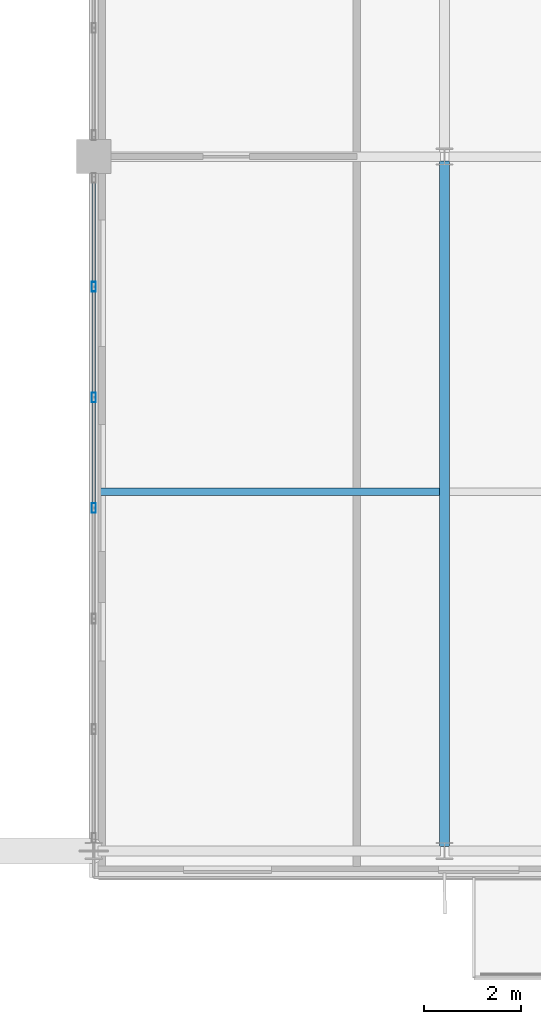
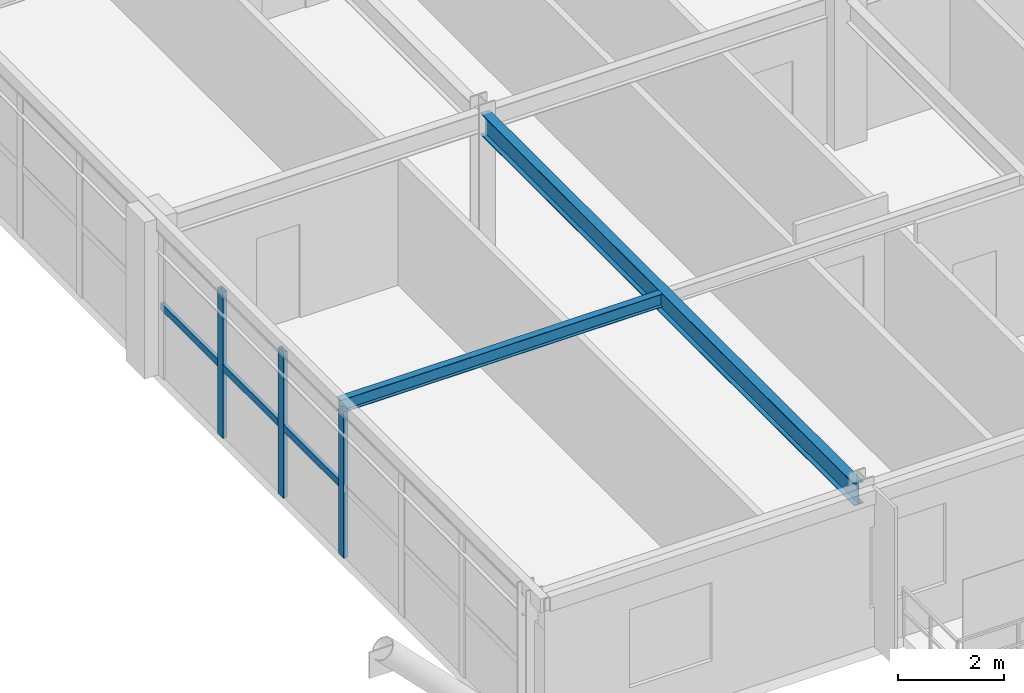
# One storey, part 12 of 35: 6 members, 2 beams, 1 element without a shape of its own.
"""IFC4 building model written with IfcOpenShell, lengths in metres."""

from ifc_helpers import new_model, si_unit, direction, frame, origin, origin_2d, place, context, subcontext, project, spatial, hollow_rectangle, i_section, extrude, source, transform, mapped, material, material_profile, profile_set, type_object, element, aggregate, save


model = new_model("IFC4")

# Units and contexts
model_context = context("Model", 3, precision=1e-05, world=origin(), true_north=direction((0.0, 1.0)))
body_context = subcontext(model_context, "Body", "Model", "MODEL_VIEW")
ifc_project = project(units=[si_unit("LENGTHUNIT", "METRE"), si_unit("AREAUNIT", "SQUARE_METRE"), si_unit("VOLUMEUNIT", "CUBIC_METRE"), si_unit("PLANEANGLEUNIT", "RADIAN"), si_unit("MASSUNIT", "GRAM", prefix="KILO")], contexts=[model_context])

# Site, building, storey
site_placement = place(None, origin())
site = spatial("IfcSite", under=ifc_project, at=site_placement, CompositionType="ELEMENT")
building_placement = place(site_placement, origin())
building = spatial("IfcBuilding", under=site, at=building_placement, Name="Trelvane Seafront Commons", CompositionType="ELEMENT")
storey_placement = place(building_placement, frame((0.0, 0.0, 194.10009765625)))
storey = spatial("IfcBuildingStorey", under=building, at=storey_placement, Name="L50", CompositionType="ELEMENT", Elevation=194.10009765625)

# Beams
ifc_material_1 = material(Name="Steel SM355 (S355)", Category="steel")
ifc_material_profile_1 = material_profile(ifc_material_1, i_section(OverallWidth=0.199951171875, OverallDepth=0.5, WebThickness=0.010009765625, FlangeThickness=0.01611328125, at=origin_2d()), Name="H-500x200x10x16")
ifc_profile_set_1 = profile_set([ifc_material_profile_1], Name="Steel SM355 (S355)")
beam_type_1 = type_object("IfcBeamType", Name="STR-BM-H500", PredefinedType="BEAM", material=ifc_profile_set_1)
shared_shape_1 = source(origin(), body_context, "Body", "SweptSolid", [
    extrude(i_section(OverallWidth=0.199951171875, OverallDepth=0.5, WebThickness=0.010009765625, FlangeThickness=0.01611328125, at=origin_2d()), origin(), (0.0, 0.0, 1.0), 14.074951171875),
])
beam_1_placement = place(storey_placement, frame((51.0, 4.03759765625, 3.10986328125), z_axis=(0.0, 1.0, 0.0), x_axis=(-1.0, 0.0, 0.0)))
element("IfcBeam", 1, at=beam_1_placement, inside=storey, type_object=beam_type_1, Name="L50 Primary Girder G-44", PredefinedType="BEAM", context=body_context, shape_type="MappedRepresentation", body=[
    mapped(shared_shape_1, transform((0.0, 0.0, 0.0), x_axis=(1.0, 0.0, 0.0), y_axis=(0.0, 1.0, 0.0), z_axis=(0.0, 0.0, 1.0), scale=1.0)),
])
ifc_material_profile_2 = material_profile(ifc_material_1, i_section(OverallWidth=0.14990234375, OverallDepth=0.300048828125, WebThickness=0.006591796875, FlangeThickness=0.009033203125, at=origin_2d()), Name="H-300x150x6.5x9")
ifc_profile_set_2 = profile_set([ifc_material_profile_2], Name="Steel SM355 (S355)")
beam_type_2 = type_object("IfcBeamType", Name="STR-JST-H300", PredefinedType="JOIST", material=ifc_profile_set_2)
shared_shape_2 = source(origin(), body_context, "Body", "SweptSolid", [
    extrude(i_section(OverallWidth=0.14990234375, OverallDepth=0.300048828125, WebThickness=0.006591796875, FlangeThickness=0.009033203125, at=origin_2d()), origin(), (0.0, 0.0, 1.0), 7.0),
])
beam_2_placement = place(storey_placement, frame((43.89990234375, 11.324951171875, 3.2099609375), z_axis=(1.0, 0.0, 0.0), x_axis=(0.0, 1.0, 0.0)))
element("IfcBeam", 2, at=beam_2_placement, inside=storey, type_object=beam_type_2, Name="L50 Secondary Floor Joist B-57", PredefinedType="JOIST", context=body_context, shape_type="MappedRepresentation", body=[
    mapped(shared_shape_2, transform((0.0, 0.0, 0.0), x_axis=(1.0, 0.0, 0.0), y_axis=(0.0, 1.0, 0.0), z_axis=(0.0, 0.0, 1.0), scale=1.0)),
])

# Curtain wall, members
ifc_material_2 = material(Name="Anodised pale-silver aluminium", Category="aluminium")
curtain_wall_type = type_object("IfcCurtainWallType", Name="ARCH-CW3-PORTAL", PredefinedType="NOTDEFINED", material=ifc_material_2)
curtain_wall_placement = place(storey_placement, origin())
curtain_wall = element("IfcCurtainWall", 3, at=curtain_wall_placement, inside=storey, type_object=curtain_wall_type, Name="CW-L50-VP-0083", PredefinedType="NOTDEFINED")
ifc_material_profile_3 = material_profile(ifc_material_2, hollow_rectangle(XDim=0.090087890625, YDim=0.199951171875, WallThickness=0.0048828125, at=origin_2d()), Name="MULL-90x200x5")
ifc_profile_set_3 = profile_set([ifc_material_profile_3], Name="Anodised pale-silver aluminium")
member_type_1 = type_object("IfcMemberType", Name="ARCH-CW-MULL-200", PredefinedType="MULLION", material=ifc_profile_set_3)
shared_shape_3 = source(origin(), body_context, "Body", "SweptSolid", [
    extrude(hollow_rectangle(XDim=0.090087890625, YDim=0.199951171875, WallThickness=0.0048828125, at=origin_2d()), origin(), (0.0, 0.0, 1.0), 3.35986328125),
])
member_1_placement = place(storey_placement, frame((43.800048828125, 15.529296875, 0.0), z_axis=(0.0, 0.0, 1.0), x_axis=(1.0, 0.0, 0.0)))
member_1 = element("IfcMember", 4, at=member_1_placement, type_object=member_type_1, Name="CW-L50-VP-0083-M01", PredefinedType="MULLION", context=body_context, shape_type="MappedRepresentation", body=[
    mapped(shared_shape_3, transform((0.0, 0.0, 0.0), x_axis=(1.0, 0.0, 0.0), y_axis=(0.0, 1.0, 0.0), z_axis=(0.0, 0.0, 1.0), scale=1.0)),
])
member_2_placement = place(storey_placement, frame((43.800048828125, 13.25830078125, 0.0), z_axis=(0.0, 0.0, 1.0), x_axis=(1.0, 0.0, 0.0)))
member_2 = element("IfcMember", 5, at=member_2_placement, type_object=member_type_1, Name="CW-L50-VP-0083-M02", PredefinedType="MULLION", context=body_context, shape_type="MappedRepresentation", body=[
    mapped(shared_shape_3, transform((0.0, 0.0, 0.0), x_axis=(1.0, 0.0, 0.0), y_axis=(0.0, 1.0, 0.0), z_axis=(0.0, 0.0, 1.0), scale=1.0)),
])
member_3_placement = place(storey_placement, frame((43.800048828125, 10.987548828125, 0.0), z_axis=(0.0, 0.0, 1.0), x_axis=(1.0, 0.0, 0.0)))
member_3 = element("IfcMember", 6, at=member_3_placement, type_object=member_type_1, Name="CW-L50-VP-0083-M03", PredefinedType="MULLION", context=body_context, shape_type="MappedRepresentation", body=[
    mapped(shared_shape_3, transform((0.0, 0.0, 0.0), x_axis=(1.0, 0.0, 0.0), y_axis=(0.0, 1.0, 0.0), z_axis=(0.0, 0.0, 1.0), scale=1.0)),
])
ifc_material_profile_4 = material_profile(ifc_material_2, hollow_rectangle(XDim=0.080078125, YDim=0.159912109375, WallThickness=0.00439453125, at=origin_2d()), Name="TRAN-80x160x4.5")
ifc_profile_set_4 = profile_set([ifc_material_profile_4], Name="Anodised pale-silver aluminium")
member_type_2 = type_object("IfcMemberType", Name="ARCH-CW-TRAN-160", PredefinedType="USERDEFINED", material=ifc_profile_set_4)
shared_shape_4 = source(origin(), body_context, "Body", "SweptSolid", [
    extrude(hollow_rectangle(XDim=0.080078125, YDim=0.159912109375, WallThickness=0.00439453125, at=origin_2d()), origin(), (0.0, 0.0, 1.0), 2.246826171875),
])
member_4_placement = place(storey_placement, frame((43.800048828125, 17.7880859375, 1.61279296875), z_axis=(0.0, -1.0, 0.0), x_axis=(1.0, 0.0, 0.0)))
member_4 = element("IfcMember", 7, at=member_4_placement, type_object=member_type_2, Name="CW-L50-VP-0083-T00", ObjectType="TRANSOM", PredefinedType="USERDEFINED", context=body_context, shape_type="MappedRepresentation", body=[
    mapped(shared_shape_4, transform((0.0, 0.0, 0.0), x_axis=(1.0, 0.0, 0.0), y_axis=(0.0, 1.0, 0.0), z_axis=(0.0, 0.0, 1.0), scale=1.0)),
])
member_5_placement = place(storey_placement, frame((43.800048828125, 15.51708984375, 1.61279296875), z_axis=(0.0, -1.0, 0.0), x_axis=(1.0, 0.0, 0.0)))
member_5 = element("IfcMember", 8, at=member_5_placement, type_object=member_type_2, Name="CW-L50-VP-0083-T01", ObjectType="TRANSOM", PredefinedType="USERDEFINED", context=body_context, shape_type="MappedRepresentation", body=[
    mapped(shared_shape_4, transform((0.0, 0.0, 0.0), x_axis=(1.0, 0.0, 0.0), y_axis=(0.0, 1.0, 0.0), z_axis=(0.0, 0.0, 1.0), scale=1.0)),
])
member_6_placement = place(storey_placement, frame((43.800048828125, 13.246337890625, 1.61279296875), z_axis=(0.0, -1.0, 0.0), x_axis=(1.0, 0.0, 0.0)))
member_6 = element("IfcMember", 9, at=member_6_placement, type_object=member_type_2, Name="CW-L50-VP-0083-T02", ObjectType="TRANSOM", PredefinedType="USERDEFINED", context=body_context, shape_type="MappedRepresentation", body=[
    mapped(shared_shape_4, transform((0.0, 0.0, 0.0), x_axis=(1.0, 0.0, 0.0), y_axis=(0.0, 1.0, 0.0), z_axis=(0.0, 0.0, 1.0), scale=1.0)),
])
aggregate(curtain_wall, [member_1, member_2, member_3, member_4, member_5, member_6])

save(model, "model.ifc")
